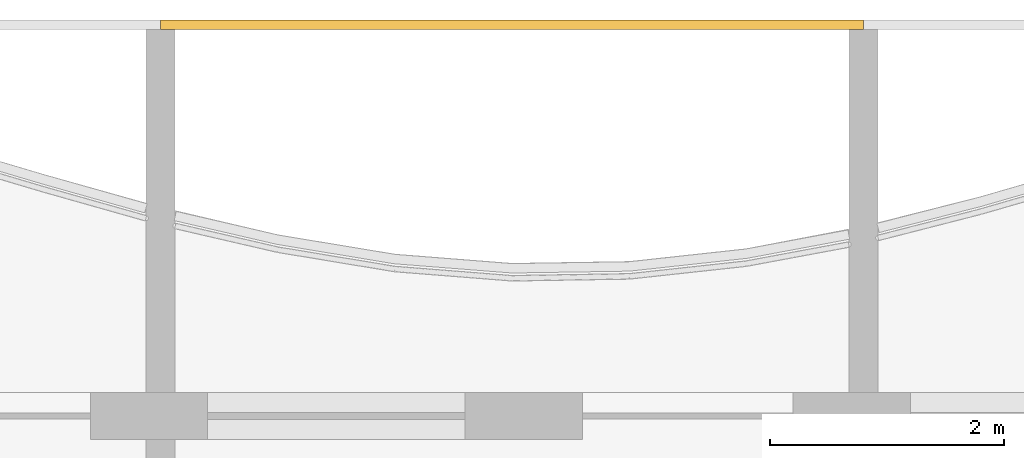
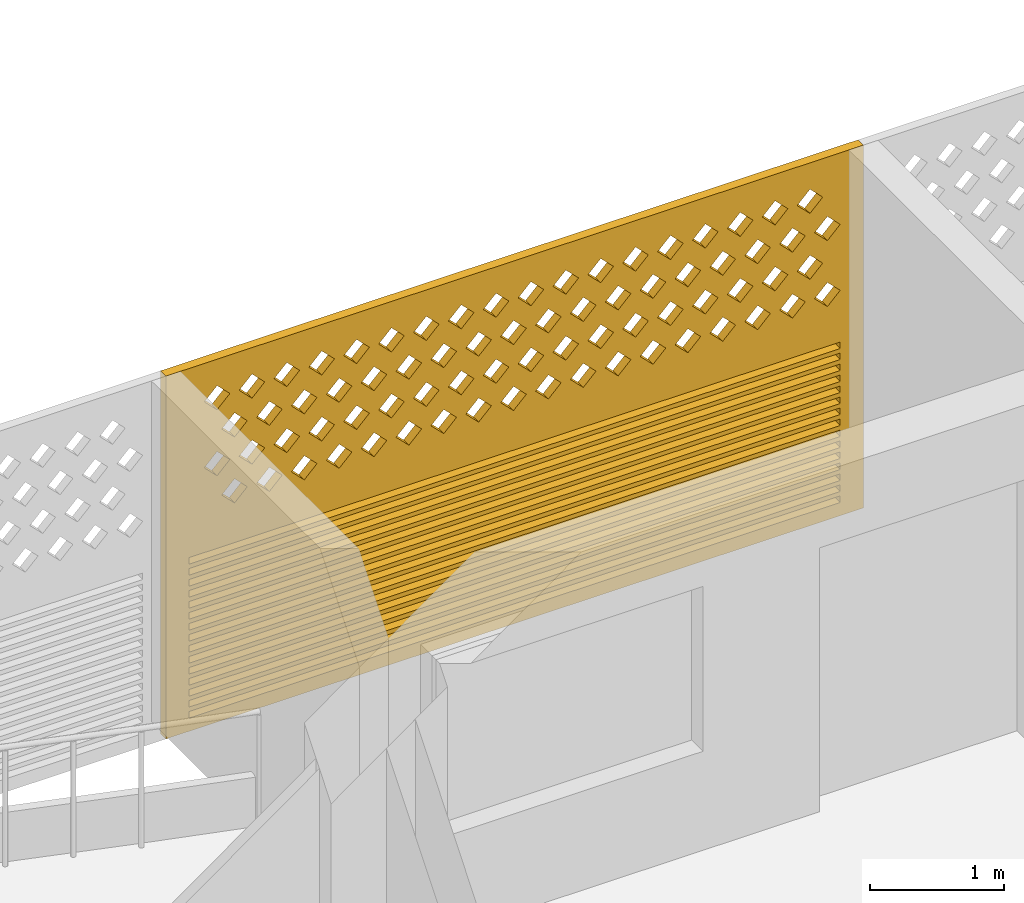
# One storey, part 24 of 26: 1 covering.
"""IFC4 building model written with IfcOpenShell, lengths in metres."""

from ifc_helpers import new_model, si_unit, direction, frame, origin, place, context, subcontext, project, spatial, polyline, outline, extrude, source, transform, mapped, material, material_profile, profile_set, type_object, element, save


model = new_model("IFC4")

# Units and contexts
model_context = context("Model", 3, precision=1e-05, world=origin(), true_north=direction((0.0, 1.0)))
body_context = subcontext(model_context, "Body", "Model", "MODEL_VIEW")
ifc_project = project(units=[si_unit("LENGTHUNIT", "METRE"), si_unit("AREAUNIT", "SQUARE_METRE"), si_unit("VOLUMEUNIT", "CUBIC_METRE"), si_unit("PLANEANGLEUNIT", "RADIAN"), si_unit("MASSUNIT", "GRAM", prefix="KILO")], contexts=[model_context])

# Site, building, storey
site_placement = place(None, origin())
site = spatial("IfcSite", under=ifc_project, at=site_placement, CompositionType="ELEMENT")
building_placement = place(site_placement, origin())
building = spatial("IfcBuilding", under=site, at=building_placement, Name="Poui Terraces", CompositionType="ELEMENT")
storey_placement = place(building_placement, frame((0.0, 0.0, 224.699951171875)))
storey = spatial("IfcBuildingStorey", under=building, at=storey_placement, Name="L62", CompositionType="ELEMENT", Elevation=224.699951171875)

# Covering
ifc_material = material(Name="Terracotta screen", Category="masonry")
ifc_material_profile = material_profile(ifc_material, outline(polyline([(-3.0, -1.64990234375), (3.0, -1.64990234375), (3.0, 1.64990234375), (-3.0, 1.64990234375), (-3.0, -1.64990234375)]), holes=[polyline([(-2.800048828125, 0.39990234375), (-2.68994140625, 0.2900390625), (-2.580078125, 0.39990234375), (-2.68994140625, 0.510009765625), (-2.800048828125, 0.39990234375)]), polyline([(-2.5, 0.39990234375), (-2.389892578125, 0.2900390625), (-2.280029296875, 0.39990234375), (-2.389892578125, 0.510009765625), (-2.5, 0.39990234375)]), polyline([(-2.199951171875, 0.39990234375), (-2.090087890625, 0.2900390625), (-1.97998046875, 0.39990234375), (-2.090087890625, 0.510009765625), (-2.199951171875, 0.39990234375)]), polyline([(-1.89990234375, 0.39990234375), (-1.7900390625, 0.2900390625), (-1.679931640625, 0.39990234375), (-1.7900390625, 0.510009765625), (-1.89990234375, 0.39990234375)]), polyline([(-1.60009765625, 0.39990234375), (-1.489990234375, 0.2900390625), (-1.3798828125, 0.39990234375), (-1.489990234375, 0.510009765625), (-1.60009765625, 0.39990234375)]), polyline([(-1.300048828125, 0.39990234375), (-1.18994140625, 0.2900390625), (-1.080078125, 0.39990234375), (-1.18994140625, 0.510009765625), (-1.300048828125, 0.39990234375)]), polyline([(-1.0, 0.39990234375), (-0.889892578125, 0.2900390625), (-0.780029296875, 0.39990234375), (-0.889892578125, 0.510009765625), (-1.0, 0.39990234375)]), polyline([(-0.699951171875, 0.39990234375), (-0.590087890625, 0.2900390625), (-0.47998046875, 0.39990234375), (-0.590087890625, 0.510009765625), (-0.699951171875, 0.39990234375)]), polyline([(-0.39990234375, 0.39990234375), (-0.2900390625, 0.2900390625), (-0.179931640625, 0.39990234375), (-0.2900390625, 0.510009765625), (-0.39990234375, 0.39990234375)]), polyline([(-0.10009765625, 0.39990234375), (0.010009765625, 0.2900390625), (0.1201171875, 0.39990234375), (0.010009765625, 0.510009765625), (-0.10009765625, 0.39990234375)]), polyline([(0.199951171875, 0.39990234375), (0.31005859375, 0.2900390625), (0.419921875, 0.39990234375), (0.31005859375, 0.510009765625), (0.199951171875, 0.39990234375)]), polyline([(0.5, 0.39990234375), (0.610107421875, 0.2900390625), (0.719970703125, 0.39990234375), (0.610107421875, 0.510009765625), (0.5, 0.39990234375)]), polyline([(0.800048828125, 0.39990234375), (0.909912109375, 0.2900390625), (1.02001953125, 0.39990234375), (0.909912109375, 0.510009765625), (0.800048828125, 0.39990234375)]), polyline([(1.10009765625, 0.39990234375), (1.2099609375, 0.2900390625), (1.320068359375, 0.39990234375), (1.2099609375, 0.510009765625), (1.10009765625, 0.39990234375)]), polyline([(1.39990234375, 0.39990234375), (1.510009765625, 0.2900390625), (1.6201171875, 0.39990234375), (1.510009765625, 0.510009765625), (1.39990234375, 0.39990234375)]), polyline([(1.699951171875, 0.39990234375), (1.81005859375, 0.2900390625), (1.919921875, 0.39990234375), (1.81005859375, 0.510009765625), (1.699951171875, 0.39990234375)]), polyline([(2.0, 0.39990234375), (2.110107421875, 0.2900390625), (2.219970703125, 0.39990234375), (2.110107421875, 0.510009765625), (2.0, 0.39990234375)]), polyline([(2.300048828125, 0.39990234375), (2.409912109375, 0.2900390625), (2.52001953125, 0.39990234375), (2.409912109375, 0.510009765625), (2.300048828125, 0.39990234375)]), polyline([(-2.64990234375, 0.699951171875), (-2.5400390625, 0.590087890625), (-2.429931640625, 0.699951171875), (-2.5400390625, 0.81005859375), (-2.64990234375, 0.699951171875)]), polyline([(-2.35009765625, 0.699951171875), (-2.239990234375, 0.590087890625), (-2.1298828125, 0.699951171875), (-2.239990234375, 0.81005859375), (-2.35009765625, 0.699951171875)]), polyline([(-2.050048828125, 0.699951171875), (-1.93994140625, 0.590087890625), (-1.830078125, 0.699951171875), (-1.93994140625, 0.81005859375), (-2.050048828125, 0.699951171875)]), polyline([(-1.75, 0.699951171875), (-1.639892578125, 0.590087890625), (-1.530029296875, 0.699951171875), (-1.639892578125, 0.81005859375), (-1.75, 0.699951171875)]), polyline([(-1.449951171875, 0.699951171875), (-1.340087890625, 0.590087890625), (-1.22998046875, 0.699951171875), (-1.340087890625, 0.81005859375), (-1.449951171875, 0.699951171875)]), polyline([(-1.14990234375, 0.699951171875), (-1.0400390625, 0.590087890625), (-0.929931640625, 0.699951171875), (-1.0400390625, 0.81005859375), (-1.14990234375, 0.699951171875)]), polyline([(-0.85009765625, 0.699951171875), (-0.739990234375, 0.590087890625), (-0.6298828125, 0.699951171875), (-0.739990234375, 0.81005859375), (-0.85009765625, 0.699951171875)]), polyline([(-0.550048828125, 0.699951171875), (-0.43994140625, 0.590087890625), (-0.330078125, 0.699951171875), (-0.43994140625, 0.81005859375), (-0.550048828125, 0.699951171875)]), polyline([(-0.25, 0.699951171875), (-0.139892578125, 0.590087890625), (-0.030029296875, 0.699951171875), (-0.139892578125, 0.81005859375), (-0.25, 0.699951171875)]), polyline([(0.050048828125, 0.699951171875), (0.159912109375, 0.590087890625), (0.27001953125, 0.699951171875), (0.159912109375, 0.81005859375), (0.050048828125, 0.699951171875)]), polyline([(0.35009765625, 0.699951171875), (0.4599609375, 0.590087890625), (0.570068359375, 0.699951171875), (0.4599609375, 0.81005859375), (0.35009765625, 0.699951171875)]), polyline([(0.64990234375, 0.699951171875), (0.760009765625, 0.590087890625), (0.8701171875, 0.699951171875), (0.760009765625, 0.81005859375), (0.64990234375, 0.699951171875)]), polyline([(0.949951171875, 0.699951171875), (1.06005859375, 0.590087890625), (1.169921875, 0.699951171875), (1.06005859375, 0.81005859375), (0.949951171875, 0.699951171875)]), polyline([(1.25, 0.699951171875), (1.360107421875, 0.590087890625), (1.469970703125, 0.699951171875), (1.360107421875, 0.81005859375), (1.25, 0.699951171875)]), polyline([(1.550048828125, 0.699951171875), (1.659912109375, 0.590087890625), (1.77001953125, 0.699951171875), (1.659912109375, 0.81005859375), (1.550048828125, 0.699951171875)]), polyline([(1.85009765625, 0.699951171875), (1.9599609375, 0.590087890625), (2.070068359375, 0.699951171875), (1.9599609375, 0.81005859375), (1.85009765625, 0.699951171875)]), polyline([(2.14990234375, 0.699951171875), (2.260009765625, 0.590087890625), (2.3701171875, 0.699951171875), (2.260009765625, 0.81005859375), (2.14990234375, 0.699951171875)]), polyline([(2.449951171875, 0.699951171875), (2.56005859375, 0.590087890625), (2.669921875, 0.699951171875), (2.56005859375, 0.81005859375), (2.449951171875, 0.699951171875)]), polyline([(-2.800048828125, 1.0), (-2.68994140625, 0.889892578125), (-2.580078125, 1.0), (-2.68994140625, 1.110107421875), (-2.800048828125, 1.0)]), polyline([(-2.5, 1.0), (-2.389892578125, 0.889892578125), (-2.280029296875, 1.0), (-2.389892578125, 1.110107421875), (-2.5, 1.0)]), polyline([(-2.199951171875, 1.0), (-2.090087890625, 0.889892578125), (-1.97998046875, 1.0), (-2.090087890625, 1.110107421875), (-2.199951171875, 1.0)]), polyline([(-1.89990234375, 1.0), (-1.7900390625, 0.889892578125), (-1.679931640625, 1.0), (-1.7900390625, 1.110107421875), (-1.89990234375, 1.0)]), polyline([(-1.60009765625, 1.0), (-1.489990234375, 0.889892578125), (-1.3798828125, 1.0), (-1.489990234375, 1.110107421875), (-1.60009765625, 1.0)]), polyline([(-1.300048828125, 1.0), (-1.18994140625, 0.889892578125), (-1.080078125, 1.0), (-1.18994140625, 1.110107421875), (-1.300048828125, 1.0)]), polyline([(-1.0, 1.0), (-0.889892578125, 0.889892578125), (-0.780029296875, 1.0), (-0.889892578125, 1.110107421875), (-1.0, 1.0)]), polyline([(-0.699951171875, 1.0), (-0.590087890625, 0.889892578125), (-0.47998046875, 1.0), (-0.590087890625, 1.110107421875), (-0.699951171875, 1.0)]), polyline([(-0.39990234375, 1.0), (-0.2900390625, 0.889892578125), (-0.179931640625, 1.0), (-0.2900390625, 1.110107421875), (-0.39990234375, 1.0)]), polyline([(-0.10009765625, 1.0), (0.010009765625, 0.889892578125), (0.1201171875, 1.0), (0.010009765625, 1.110107421875), (-0.10009765625, 1.0)]), polyline([(0.199951171875, 1.0), (0.31005859375, 0.889892578125), (0.419921875, 1.0), (0.31005859375, 1.110107421875), (0.199951171875, 1.0)]), polyline([(0.5, 1.0), (0.610107421875, 0.889892578125), (0.719970703125, 1.0), (0.610107421875, 1.110107421875), (0.5, 1.0)]), polyline([(0.800048828125, 1.0), (0.909912109375, 0.889892578125), (1.02001953125, 1.0), (0.909912109375, 1.110107421875), (0.800048828125, 1.0)]), polyline([(1.10009765625, 1.0), (1.2099609375, 0.889892578125), (1.320068359375, 1.0), (1.2099609375, 1.110107421875), (1.10009765625, 1.0)]), polyline([(1.39990234375, 1.0), (1.510009765625, 0.889892578125), (1.6201171875, 1.0), (1.510009765625, 1.110107421875), (1.39990234375, 1.0)]), polyline([(1.699951171875, 1.0), (1.81005859375, 0.889892578125), (1.919921875, 1.0), (1.81005859375, 1.110107421875), (1.699951171875, 1.0)]), polyline([(2.0, 1.0), (2.110107421875, 0.889892578125), (2.219970703125, 1.0), (2.110107421875, 1.110107421875), (2.0, 1.0)]), polyline([(2.300048828125, 1.0), (2.409912109375, 0.889892578125), (2.52001953125, 1.0), (2.409912109375, 1.110107421875), (2.300048828125, 1.0)]), polyline([(-2.64990234375, 1.300048828125), (-2.5400390625, 1.18994140625), (-2.429931640625, 1.300048828125), (-2.5400390625, 1.409912109375), (-2.64990234375, 1.300048828125)]), polyline([(-2.35009765625, 1.300048828125), (-2.239990234375, 1.18994140625), (-2.1298828125, 1.300048828125), (-2.239990234375, 1.409912109375), (-2.35009765625, 1.300048828125)]), polyline([(-2.050048828125, 1.300048828125), (-1.93994140625, 1.18994140625), (-1.830078125, 1.300048828125), (-1.93994140625, 1.409912109375), (-2.050048828125, 1.300048828125)]), polyline([(-1.75, 1.300048828125), (-1.639892578125, 1.18994140625), (-1.530029296875, 1.300048828125), (-1.639892578125, 1.409912109375), (-1.75, 1.300048828125)]), polyline([(-1.449951171875, 1.300048828125), (-1.340087890625, 1.18994140625), (-1.22998046875, 1.300048828125), (-1.340087890625, 1.409912109375), (-1.449951171875, 1.300048828125)]), polyline([(-1.14990234375, 1.300048828125), (-1.0400390625, 1.18994140625), (-0.929931640625, 1.300048828125), (-1.0400390625, 1.409912109375), (-1.14990234375, 1.300048828125)]), polyline([(-0.85009765625, 1.300048828125), (-0.739990234375, 1.18994140625), (-0.6298828125, 1.300048828125), (-0.739990234375, 1.409912109375), (-0.85009765625, 1.300048828125)]), polyline([(-0.550048828125, 1.300048828125), (-0.43994140625, 1.18994140625), (-0.330078125, 1.300048828125), (-0.43994140625, 1.409912109375), (-0.550048828125, 1.300048828125)]), polyline([(-0.25, 1.300048828125), (-0.139892578125, 1.18994140625), (-0.030029296875, 1.300048828125), (-0.139892578125, 1.409912109375), (-0.25, 1.300048828125)]), polyline([(0.050048828125, 1.300048828125), (0.159912109375, 1.18994140625), (0.27001953125, 1.300048828125), (0.159912109375, 1.409912109375), (0.050048828125, 1.300048828125)]), polyline([(0.35009765625, 1.300048828125), (0.4599609375, 1.18994140625), (0.570068359375, 1.300048828125), (0.4599609375, 1.409912109375), (0.35009765625, 1.300048828125)]), polyline([(0.64990234375, 1.300048828125), (0.760009765625, 1.18994140625), (0.8701171875, 1.300048828125), (0.760009765625, 1.409912109375), (0.64990234375, 1.300048828125)]), polyline([(0.949951171875, 1.300048828125), (1.06005859375, 1.18994140625), (1.169921875, 1.300048828125), (1.06005859375, 1.409912109375), (0.949951171875, 1.300048828125)]), polyline([(1.25, 1.300048828125), (1.360107421875, 1.18994140625), (1.469970703125, 1.300048828125), (1.360107421875, 1.409912109375), (1.25, 1.300048828125)]), polyline([(1.550048828125, 1.300048828125), (1.659912109375, 1.18994140625), (1.77001953125, 1.300048828125), (1.659912109375, 1.409912109375), (1.550048828125, 1.300048828125)]), polyline([(1.85009765625, 1.300048828125), (1.9599609375, 1.18994140625), (2.070068359375, 1.300048828125), (1.9599609375, 1.409912109375), (1.85009765625, 1.300048828125)]), polyline([(2.14990234375, 1.300048828125), (2.260009765625, 1.18994140625), (2.3701171875, 1.300048828125), (2.260009765625, 1.409912109375), (2.14990234375, 1.300048828125)]), polyline([(2.449951171875, 1.300048828125), (2.56005859375, 1.18994140625), (2.669921875, 1.300048828125), (2.56005859375, 1.409912109375), (2.449951171875, 1.300048828125)]), polyline([(-2.800048828125, -1.530029296875), (2.800048828125, -1.530029296875), (2.800048828125, -1.469970703125), (-2.800048828125, -1.469970703125), (-2.800048828125, -1.530029296875)]), polyline([(-2.800048828125, -1.429931640625), (2.800048828125, -1.429931640625), (2.800048828125, -1.3701171875), (-2.800048828125, -1.3701171875), (-2.800048828125, -1.429931640625)]), polyline([(-2.800048828125, -1.330078125), (2.800048828125, -1.330078125), (2.800048828125, -1.27001953125), (-2.800048828125, -1.27001953125), (-2.800048828125, -1.330078125)]), polyline([(-2.800048828125, -1.22998046875), (2.800048828125, -1.22998046875), (2.800048828125, -1.169921875), (-2.800048828125, -1.169921875), (-2.800048828125, -1.22998046875)]), polyline([(-2.800048828125, -1.1298828125), (2.800048828125, -1.1298828125), (2.800048828125, -1.070068359375), (-2.800048828125, -1.070068359375), (-2.800048828125, -1.1298828125)]), polyline([(-2.800048828125, -1.030029296875), (2.800048828125, -1.030029296875), (2.800048828125, -0.969970703125), (-2.800048828125, -0.969970703125), (-2.800048828125, -1.030029296875)]), polyline([(-2.800048828125, -0.929931640625), (2.800048828125, -0.929931640625), (2.800048828125, -0.8701171875), (-2.800048828125, -0.8701171875), (-2.800048828125, -0.929931640625)]), polyline([(-2.800048828125, -0.830078125), (2.800048828125, -0.830078125), (2.800048828125, -0.77001953125), (-2.800048828125, -0.77001953125), (-2.800048828125, -0.830078125)]), polyline([(-2.800048828125, -0.72998046875), (2.800048828125, -0.72998046875), (2.800048828125, -0.669921875), (-2.800048828125, -0.669921875), (-2.800048828125, -0.72998046875)]), polyline([(-2.800048828125, -0.6298828125), (2.800048828125, -0.6298828125), (2.800048828125, -0.570068359375), (-2.800048828125, -0.570068359375), (-2.800048828125, -0.6298828125)]), polyline([(-2.800048828125, -0.530029296875), (2.800048828125, -0.530029296875), (2.800048828125, -0.469970703125), (-2.800048828125, -0.469970703125), (-2.800048828125, -0.530029296875)]), polyline([(-2.800048828125, -0.429931640625), (2.800048828125, -0.429931640625), (2.800048828125, -0.3701171875), (-2.800048828125, -0.3701171875), (-2.800048828125, -0.429931640625)]), polyline([(-2.800048828125, -0.330078125), (2.800048828125, -0.330078125), (2.800048828125, -0.27001953125), (-2.800048828125, -0.27001953125), (-2.800048828125, -0.330078125)]), polyline([(-2.800048828125, -0.22998046875), (2.800048828125, -0.22998046875), (2.800048828125, -0.169921875), (-2.800048828125, -0.169921875), (-2.800048828125, -0.22998046875)]), polyline([(-2.800048828125, -0.1298828125), (2.800048828125, -0.1298828125), (2.800048828125, -0.070068359375), (-2.800048828125, -0.070068359375), (-2.800048828125, -0.1298828125)])]), Name="TERRACOTTA SCREEN AND JALOUSIE LOUVRE 6000X3300")
ifc_profile_set = profile_set([ifc_material_profile], Name="Terracotta screen")
covering_type = type_object("IfcCoveringType", Name="TERRACOTTA SCREEN AND JALOUSIE LOUVRE 6000X3300", PredefinedType="CLADDING", material=ifc_profile_set)
shared_shape = source(origin(), body_context, "Body", "SweptSolid", [
    extrude(outline(polyline([(-3.0, -1.64990234375), (3.0, -1.64990234375), (3.0, 1.64990234375), (-3.0, 1.64990234375), (-3.0, -1.64990234375)]), holes=[polyline([(-2.800048828125, 0.39990234375), (-2.68994140625, 0.2900390625), (-2.580078125, 0.39990234375), (-2.68994140625, 0.510009765625), (-2.800048828125, 0.39990234375)]), polyline([(-2.5, 0.39990234375), (-2.389892578125, 0.2900390625), (-2.280029296875, 0.39990234375), (-2.389892578125, 0.510009765625), (-2.5, 0.39990234375)]), polyline([(-2.199951171875, 0.39990234375), (-2.090087890625, 0.2900390625), (-1.97998046875, 0.39990234375), (-2.090087890625, 0.510009765625), (-2.199951171875, 0.39990234375)]), polyline([(-1.89990234375, 0.39990234375), (-1.7900390625, 0.2900390625), (-1.679931640625, 0.39990234375), (-1.7900390625, 0.510009765625), (-1.89990234375, 0.39990234375)]), polyline([(-1.60009765625, 0.39990234375), (-1.489990234375, 0.2900390625), (-1.3798828125, 0.39990234375), (-1.489990234375, 0.510009765625), (-1.60009765625, 0.39990234375)]), polyline([(-1.300048828125, 0.39990234375), (-1.18994140625, 0.2900390625), (-1.080078125, 0.39990234375), (-1.18994140625, 0.510009765625), (-1.300048828125, 0.39990234375)]), polyline([(-1.0, 0.39990234375), (-0.889892578125, 0.2900390625), (-0.780029296875, 0.39990234375), (-0.889892578125, 0.510009765625), (-1.0, 0.39990234375)]), polyline([(-0.699951171875, 0.39990234375), (-0.590087890625, 0.2900390625), (-0.47998046875, 0.39990234375), (-0.590087890625, 0.510009765625), (-0.699951171875, 0.39990234375)]), polyline([(-0.39990234375, 0.39990234375), (-0.2900390625, 0.2900390625), (-0.179931640625, 0.39990234375), (-0.2900390625, 0.510009765625), (-0.39990234375, 0.39990234375)]), polyline([(-0.10009765625, 0.39990234375), (0.010009765625, 0.2900390625), (0.1201171875, 0.39990234375), (0.010009765625, 0.510009765625), (-0.10009765625, 0.39990234375)]), polyline([(0.199951171875, 0.39990234375), (0.31005859375, 0.2900390625), (0.419921875, 0.39990234375), (0.31005859375, 0.510009765625), (0.199951171875, 0.39990234375)]), polyline([(0.5, 0.39990234375), (0.610107421875, 0.2900390625), (0.719970703125, 0.39990234375), (0.610107421875, 0.510009765625), (0.5, 0.39990234375)]), polyline([(0.800048828125, 0.39990234375), (0.909912109375, 0.2900390625), (1.02001953125, 0.39990234375), (0.909912109375, 0.510009765625), (0.800048828125, 0.39990234375)]), polyline([(1.10009765625, 0.39990234375), (1.2099609375, 0.2900390625), (1.320068359375, 0.39990234375), (1.2099609375, 0.510009765625), (1.10009765625, 0.39990234375)]), polyline([(1.39990234375, 0.39990234375), (1.510009765625, 0.2900390625), (1.6201171875, 0.39990234375), (1.510009765625, 0.510009765625), (1.39990234375, 0.39990234375)]), polyline([(1.699951171875, 0.39990234375), (1.81005859375, 0.2900390625), (1.919921875, 0.39990234375), (1.81005859375, 0.510009765625), (1.699951171875, 0.39990234375)]), polyline([(2.0, 0.39990234375), (2.110107421875, 0.2900390625), (2.219970703125, 0.39990234375), (2.110107421875, 0.510009765625), (2.0, 0.39990234375)]), polyline([(2.300048828125, 0.39990234375), (2.409912109375, 0.2900390625), (2.52001953125, 0.39990234375), (2.409912109375, 0.510009765625), (2.300048828125, 0.39990234375)]), polyline([(-2.64990234375, 0.699951171875), (-2.5400390625, 0.590087890625), (-2.429931640625, 0.699951171875), (-2.5400390625, 0.81005859375), (-2.64990234375, 0.699951171875)]), polyline([(-2.35009765625, 0.699951171875), (-2.239990234375, 0.590087890625), (-2.1298828125, 0.699951171875), (-2.239990234375, 0.81005859375), (-2.35009765625, 0.699951171875)]), polyline([(-2.050048828125, 0.699951171875), (-1.93994140625, 0.590087890625), (-1.830078125, 0.699951171875), (-1.93994140625, 0.81005859375), (-2.050048828125, 0.699951171875)]), polyline([(-1.75, 0.699951171875), (-1.639892578125, 0.590087890625), (-1.530029296875, 0.699951171875), (-1.639892578125, 0.81005859375), (-1.75, 0.699951171875)]), polyline([(-1.449951171875, 0.699951171875), (-1.340087890625, 0.590087890625), (-1.22998046875, 0.699951171875), (-1.340087890625, 0.81005859375), (-1.449951171875, 0.699951171875)]), polyline([(-1.14990234375, 0.699951171875), (-1.0400390625, 0.590087890625), (-0.929931640625, 0.699951171875), (-1.0400390625, 0.81005859375), (-1.14990234375, 0.699951171875)]), polyline([(-0.85009765625, 0.699951171875), (-0.739990234375, 0.590087890625), (-0.6298828125, 0.699951171875), (-0.739990234375, 0.81005859375), (-0.85009765625, 0.699951171875)]), polyline([(-0.550048828125, 0.699951171875), (-0.43994140625, 0.590087890625), (-0.330078125, 0.699951171875), (-0.43994140625, 0.81005859375), (-0.550048828125, 0.699951171875)]), polyline([(-0.25, 0.699951171875), (-0.139892578125, 0.590087890625), (-0.030029296875, 0.699951171875), (-0.139892578125, 0.81005859375), (-0.25, 0.699951171875)]), polyline([(0.050048828125, 0.699951171875), (0.159912109375, 0.590087890625), (0.27001953125, 0.699951171875), (0.159912109375, 0.81005859375), (0.050048828125, 0.699951171875)]), polyline([(0.35009765625, 0.699951171875), (0.4599609375, 0.590087890625), (0.570068359375, 0.699951171875), (0.4599609375, 0.81005859375), (0.35009765625, 0.699951171875)]), polyline([(0.64990234375, 0.699951171875), (0.760009765625, 0.590087890625), (0.8701171875, 0.699951171875), (0.760009765625, 0.81005859375), (0.64990234375, 0.699951171875)]), polyline([(0.949951171875, 0.699951171875), (1.06005859375, 0.590087890625), (1.169921875, 0.699951171875), (1.06005859375, 0.81005859375), (0.949951171875, 0.699951171875)]), polyline([(1.25, 0.699951171875), (1.360107421875, 0.590087890625), (1.469970703125, 0.699951171875), (1.360107421875, 0.81005859375), (1.25, 0.699951171875)]), polyline([(1.550048828125, 0.699951171875), (1.659912109375, 0.590087890625), (1.77001953125, 0.699951171875), (1.659912109375, 0.81005859375), (1.550048828125, 0.699951171875)]), polyline([(1.85009765625, 0.699951171875), (1.9599609375, 0.590087890625), (2.070068359375, 0.699951171875), (1.9599609375, 0.81005859375), (1.85009765625, 0.699951171875)]), polyline([(2.14990234375, 0.699951171875), (2.260009765625, 0.590087890625), (2.3701171875, 0.699951171875), (2.260009765625, 0.81005859375), (2.14990234375, 0.699951171875)]), polyline([(2.449951171875, 0.699951171875), (2.56005859375, 0.590087890625), (2.669921875, 0.699951171875), (2.56005859375, 0.81005859375), (2.449951171875, 0.699951171875)]), polyline([(-2.800048828125, 1.0), (-2.68994140625, 0.889892578125), (-2.580078125, 1.0), (-2.68994140625, 1.110107421875), (-2.800048828125, 1.0)]), polyline([(-2.5, 1.0), (-2.389892578125, 0.889892578125), (-2.280029296875, 1.0), (-2.389892578125, 1.110107421875), (-2.5, 1.0)]), polyline([(-2.199951171875, 1.0), (-2.090087890625, 0.889892578125), (-1.97998046875, 1.0), (-2.090087890625, 1.110107421875), (-2.199951171875, 1.0)]), polyline([(-1.89990234375, 1.0), (-1.7900390625, 0.889892578125), (-1.679931640625, 1.0), (-1.7900390625, 1.110107421875), (-1.89990234375, 1.0)]), polyline([(-1.60009765625, 1.0), (-1.489990234375, 0.889892578125), (-1.3798828125, 1.0), (-1.489990234375, 1.110107421875), (-1.60009765625, 1.0)]), polyline([(-1.300048828125, 1.0), (-1.18994140625, 0.889892578125), (-1.080078125, 1.0), (-1.18994140625, 1.110107421875), (-1.300048828125, 1.0)]), polyline([(-1.0, 1.0), (-0.889892578125, 0.889892578125), (-0.780029296875, 1.0), (-0.889892578125, 1.110107421875), (-1.0, 1.0)]), polyline([(-0.699951171875, 1.0), (-0.590087890625, 0.889892578125), (-0.47998046875, 1.0), (-0.590087890625, 1.110107421875), (-0.699951171875, 1.0)]), polyline([(-0.39990234375, 1.0), (-0.2900390625, 0.889892578125), (-0.179931640625, 1.0), (-0.2900390625, 1.110107421875), (-0.39990234375, 1.0)]), polyline([(-0.10009765625, 1.0), (0.010009765625, 0.889892578125), (0.1201171875, 1.0), (0.010009765625, 1.110107421875), (-0.10009765625, 1.0)]), polyline([(0.199951171875, 1.0), (0.31005859375, 0.889892578125), (0.419921875, 1.0), (0.31005859375, 1.110107421875), (0.199951171875, 1.0)]), polyline([(0.5, 1.0), (0.610107421875, 0.889892578125), (0.719970703125, 1.0), (0.610107421875, 1.110107421875), (0.5, 1.0)]), polyline([(0.800048828125, 1.0), (0.909912109375, 0.889892578125), (1.02001953125, 1.0), (0.909912109375, 1.110107421875), (0.800048828125, 1.0)]), polyline([(1.10009765625, 1.0), (1.2099609375, 0.889892578125), (1.320068359375, 1.0), (1.2099609375, 1.110107421875), (1.10009765625, 1.0)]), polyline([(1.39990234375, 1.0), (1.510009765625, 0.889892578125), (1.6201171875, 1.0), (1.510009765625, 1.110107421875), (1.39990234375, 1.0)]), polyline([(1.699951171875, 1.0), (1.81005859375, 0.889892578125), (1.919921875, 1.0), (1.81005859375, 1.110107421875), (1.699951171875, 1.0)]), polyline([(2.0, 1.0), (2.110107421875, 0.889892578125), (2.219970703125, 1.0), (2.110107421875, 1.110107421875), (2.0, 1.0)]), polyline([(2.300048828125, 1.0), (2.409912109375, 0.889892578125), (2.52001953125, 1.0), (2.409912109375, 1.110107421875), (2.300048828125, 1.0)]), polyline([(-2.64990234375, 1.300048828125), (-2.5400390625, 1.18994140625), (-2.429931640625, 1.300048828125), (-2.5400390625, 1.409912109375), (-2.64990234375, 1.300048828125)]), polyline([(-2.35009765625, 1.300048828125), (-2.239990234375, 1.18994140625), (-2.1298828125, 1.300048828125), (-2.239990234375, 1.409912109375), (-2.35009765625, 1.300048828125)]), polyline([(-2.050048828125, 1.300048828125), (-1.93994140625, 1.18994140625), (-1.830078125, 1.300048828125), (-1.93994140625, 1.409912109375), (-2.050048828125, 1.300048828125)]), polyline([(-1.75, 1.300048828125), (-1.639892578125, 1.18994140625), (-1.530029296875, 1.300048828125), (-1.639892578125, 1.409912109375), (-1.75, 1.300048828125)]), polyline([(-1.449951171875, 1.300048828125), (-1.340087890625, 1.18994140625), (-1.22998046875, 1.300048828125), (-1.340087890625, 1.409912109375), (-1.449951171875, 1.300048828125)]), polyline([(-1.14990234375, 1.300048828125), (-1.0400390625, 1.18994140625), (-0.929931640625, 1.300048828125), (-1.0400390625, 1.409912109375), (-1.14990234375, 1.300048828125)]), polyline([(-0.85009765625, 1.300048828125), (-0.739990234375, 1.18994140625), (-0.6298828125, 1.300048828125), (-0.739990234375, 1.409912109375), (-0.85009765625, 1.300048828125)]), polyline([(-0.550048828125, 1.300048828125), (-0.43994140625, 1.18994140625), (-0.330078125, 1.300048828125), (-0.43994140625, 1.409912109375), (-0.550048828125, 1.300048828125)]), polyline([(-0.25, 1.300048828125), (-0.139892578125, 1.18994140625), (-0.030029296875, 1.300048828125), (-0.139892578125, 1.409912109375), (-0.25, 1.300048828125)]), polyline([(0.050048828125, 1.300048828125), (0.159912109375, 1.18994140625), (0.27001953125, 1.300048828125), (0.159912109375, 1.409912109375), (0.050048828125, 1.300048828125)]), polyline([(0.35009765625, 1.300048828125), (0.4599609375, 1.18994140625), (0.570068359375, 1.300048828125), (0.4599609375, 1.409912109375), (0.35009765625, 1.300048828125)]), polyline([(0.64990234375, 1.300048828125), (0.760009765625, 1.18994140625), (0.8701171875, 1.300048828125), (0.760009765625, 1.409912109375), (0.64990234375, 1.300048828125)]), polyline([(0.949951171875, 1.300048828125), (1.06005859375, 1.18994140625), (1.169921875, 1.300048828125), (1.06005859375, 1.409912109375), (0.949951171875, 1.300048828125)]), polyline([(1.25, 1.300048828125), (1.360107421875, 1.18994140625), (1.469970703125, 1.300048828125), (1.360107421875, 1.409912109375), (1.25, 1.300048828125)]), polyline([(1.550048828125, 1.300048828125), (1.659912109375, 1.18994140625), (1.77001953125, 1.300048828125), (1.659912109375, 1.409912109375), (1.550048828125, 1.300048828125)]), polyline([(1.85009765625, 1.300048828125), (1.9599609375, 1.18994140625), (2.070068359375, 1.300048828125), (1.9599609375, 1.409912109375), (1.85009765625, 1.300048828125)]), polyline([(2.14990234375, 1.300048828125), (2.260009765625, 1.18994140625), (2.3701171875, 1.300048828125), (2.260009765625, 1.409912109375), (2.14990234375, 1.300048828125)]), polyline([(2.449951171875, 1.300048828125), (2.56005859375, 1.18994140625), (2.669921875, 1.300048828125), (2.56005859375, 1.409912109375), (2.449951171875, 1.300048828125)]), polyline([(-2.800048828125, -1.530029296875), (2.800048828125, -1.530029296875), (2.800048828125, -1.469970703125), (-2.800048828125, -1.469970703125), (-2.800048828125, -1.530029296875)]), polyline([(-2.800048828125, -1.429931640625), (2.800048828125, -1.429931640625), (2.800048828125, -1.3701171875), (-2.800048828125, -1.3701171875), (-2.800048828125, -1.429931640625)]), polyline([(-2.800048828125, -1.330078125), (2.800048828125, -1.330078125), (2.800048828125, -1.27001953125), (-2.800048828125, -1.27001953125), (-2.800048828125, -1.330078125)]), polyline([(-2.800048828125, -1.22998046875), (2.800048828125, -1.22998046875), (2.800048828125, -1.169921875), (-2.800048828125, -1.169921875), (-2.800048828125, -1.22998046875)]), polyline([(-2.800048828125, -1.1298828125), (2.800048828125, -1.1298828125), (2.800048828125, -1.070068359375), (-2.800048828125, -1.070068359375), (-2.800048828125, -1.1298828125)]), polyline([(-2.800048828125, -1.030029296875), (2.800048828125, -1.030029296875), (2.800048828125, -0.969970703125), (-2.800048828125, -0.969970703125), (-2.800048828125, -1.030029296875)]), polyline([(-2.800048828125, -0.929931640625), (2.800048828125, -0.929931640625), (2.800048828125, -0.8701171875), (-2.800048828125, -0.8701171875), (-2.800048828125, -0.929931640625)]), polyline([(-2.800048828125, -0.830078125), (2.800048828125, -0.830078125), (2.800048828125, -0.77001953125), (-2.800048828125, -0.77001953125), (-2.800048828125, -0.830078125)]), polyline([(-2.800048828125, -0.72998046875), (2.800048828125, -0.72998046875), (2.800048828125, -0.669921875), (-2.800048828125, -0.669921875), (-2.800048828125, -0.72998046875)]), polyline([(-2.800048828125, -0.6298828125), (2.800048828125, -0.6298828125), (2.800048828125, -0.570068359375), (-2.800048828125, -0.570068359375), (-2.800048828125, -0.6298828125)]), polyline([(-2.800048828125, -0.530029296875), (2.800048828125, -0.530029296875), (2.800048828125, -0.469970703125), (-2.800048828125, -0.469970703125), (-2.800048828125, -0.530029296875)]), polyline([(-2.800048828125, -0.429931640625), (2.800048828125, -0.429931640625), (2.800048828125, -0.3701171875), (-2.800048828125, -0.3701171875), (-2.800048828125, -0.429931640625)]), polyline([(-2.800048828125, -0.330078125), (2.800048828125, -0.330078125), (2.800048828125, -0.27001953125), (-2.800048828125, -0.27001953125), (-2.800048828125, -0.330078125)]), polyline([(-2.800048828125, -0.22998046875), (2.800048828125, -0.22998046875), (2.800048828125, -0.169921875), (-2.800048828125, -0.169921875), (-2.800048828125, -0.22998046875)]), polyline([(-2.800048828125, -0.1298828125), (2.800048828125, -0.1298828125), (2.800048828125, -0.070068359375), (-2.800048828125, -0.070068359375), (-2.800048828125, -0.1298828125)])]), origin(), (0.0, 0.0, 1.0), 0.080078125),
])
covering_placement = place(storey_placement, frame((69.0, 44.5, 1.449951171875), z_axis=(0.0, 1.0, 0.0), x_axis=(-1.0, 0.0, 0.0)))
element("IfcCovering", 1, at=covering_placement, inside=storey, type_object=covering_type, Name="SOLAR SCREEN AND JALOUSIE LOUVRE", PredefinedType="CLADDING", context=body_context, shape_type="MappedRepresentation", body=[
    mapped(shared_shape, transform((0.0, 0.0, 0.0))),
])

save(model, "model.ifc")
